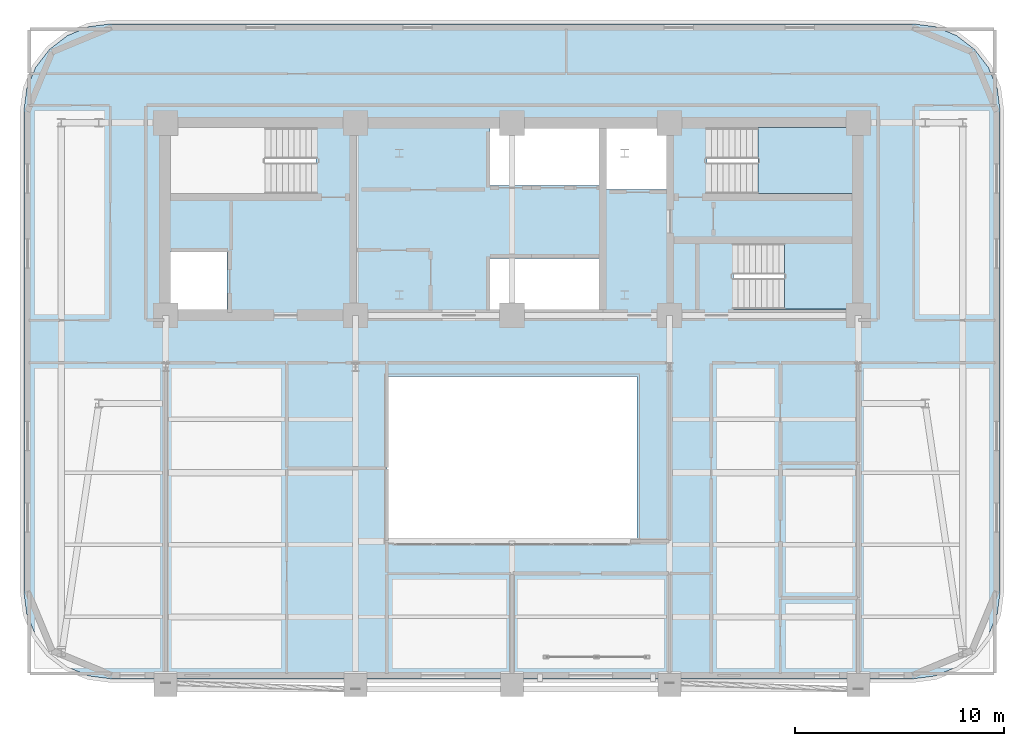
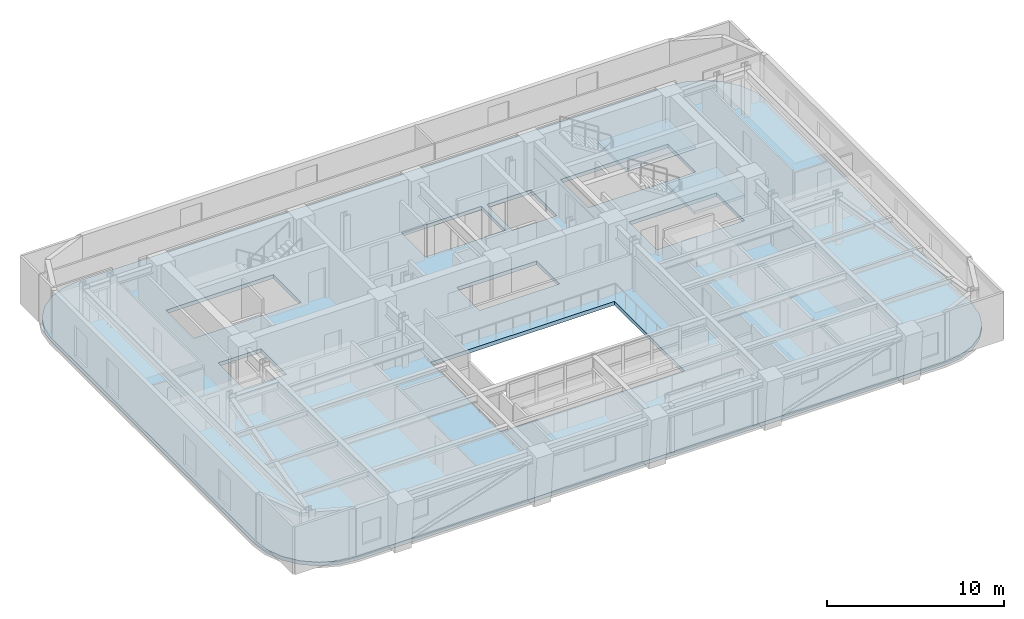
# One storey, part 4 of 13: 3 slabs, 2 elements without a shape of their own.
"""IFC4 building model written with IfcOpenShell, lengths in metres."""

from ifc_helpers import new_model, si_unit, direction, frame, origin, place, context, subcontext, project, spatial, polyline, outline, extrude, material, layer, layer_set, type_object, element, aggregate, save


model = new_model("IFC4")

# Units and contexts
model_context = context("Model", 3, precision=1e-05, world=origin(), true_north=direction((0.0, 1.0)))
body_context = subcontext(model_context, "Body", "Model", "MODEL_VIEW")
ifc_project = project(units=[si_unit("LENGTHUNIT", "METRE"), si_unit("AREAUNIT", "SQUARE_METRE"), si_unit("VOLUMEUNIT", "CUBIC_METRE"), si_unit("PLANEANGLEUNIT", "RADIAN"), si_unit("MASSUNIT", "GRAM", prefix="KILO")], contexts=[model_context])

# Site, building, storey
site_placement = place(None, origin())
site = spatial("IfcSite", under=ifc_project, at=site_placement, CompositionType="ELEMENT")
building_placement = place(site_placement, origin())
building = spatial("IfcBuilding", under=site, at=building_placement, Name="Zarnavel Station Tower", CompositionType="ELEMENT")
storey_placement = place(building_placement, frame((0.0, 0.0, 176.75)))
storey = spatial("IfcBuildingStorey", under=building, at=storey_placement, Name="L48", CompositionType="ELEMENT", Elevation=176.75)

# Slab
ifc_material_1 = material(Name="Concrete C45/55", Category="concrete")
ifc_layer_1 = layer(ifc_material_1, 0.260009765625)
ifc_layer_set_1 = layer_set([ifc_layer_1], Name="SL_FLR_260")
slab_type_1 = type_object("IfcSlabType", Name="SL_FLR_260", PredefinedType="FLOOR", material=ifc_layer_set_1)
slab_1_placement = place(storey_placement, frame((0.0, 0.0, -0.260009765625)))
element("IfcSlab", 1, at=slab_1_placement, inside=storey, type_object=slab_type_1, Name="L48 Structural Floor Slab", PredefinedType="FLOOR", context=body_context, shape_type="SweptSolid", body=[
    extrude(outline(polyline([(48.0, 10.39990234375), (49.0869140625, 10.543212890625), (50.10009765625, 10.962646484375), (50.9697265625, 11.630126953125), (51.63720703125, 12.5), (52.056884765625, 13.512939453125), (52.199951171875, 14.60009765625), (52.199951171875, 37.60009765625), (52.056884765625, 38.68701171875), (51.63720703125, 39.699951171875), (50.9697265625, 40.56982421875), (50.10009765625, 41.2373046875), (49.0869140625, 41.656982421875), (48.0, 41.800048828125), (9.60009765625, 41.800048828125), (8.512939453125, 41.656982421875), (7.5, 41.2373046875), (6.630126953125, 40.56982421875), (5.962646484375, 39.699951171875), (5.543212890625, 38.68701171875), (5.39990234375, 37.60009765625), (5.39990234375, 14.60009765625), (5.543212890625, 13.512939453125), (5.962646484375, 12.5), (6.630126953125, 11.630126953125), (7.5, 10.962646484375), (8.512939453125, 10.543212890625), (9.60009765625, 10.39990234375), (48.0, 10.39990234375)]), holes=[polyline([(12.39990234375, 33.659912109375), (19.409912109375, 33.659912109375), (19.409912109375, 36.820068359375), (12.39990234375, 36.820068359375), (12.39990234375, 33.659912109375)]), polyline([(38.14990234375, 33.659912109375), (45.159912109375, 33.659912109375), (45.159912109375, 36.820068359375), (38.14990234375, 36.820068359375), (38.14990234375, 33.659912109375)]), polyline([(39.419921875, 28.1201171875), (45.14990234375, 28.1201171875), (45.14990234375, 31.280029296875), (39.419921875, 31.280029296875), (39.419921875, 28.1201171875)]), polyline([(12.35009765625, 27.949951171875), (15.14990234375, 27.949951171875), (15.14990234375, 30.85009765625), (12.35009765625, 30.85009765625), (12.35009765625, 27.949951171875)]), polyline([(33.320068359375, 33.85009765625), (36.2099609375, 33.85009765625), (36.2099609375, 36.780029296875), (33.320068359375, 36.780029296875), (33.320068359375, 33.85009765625)]), polyline([(27.75, 34.050048828125), (32.97998046875, 34.050048828125), (32.97998046875, 36.780029296875), (27.75, 36.780029296875), (27.75, 34.050048828125)]), polyline([(27.75, 27.949951171875), (32.97998046875, 27.949951171875), (32.97998046875, 30.550048828125), (27.75, 30.550048828125), (27.75, 27.949951171875)]), polyline([(22.800048828125, 17.0), (34.800048828125, 17.0), (34.800048828125, 24.89990234375), (22.800048828125, 24.89990234375), (22.800048828125, 17.0)])]), origin(), (0.0, 0.0, 1.0), 0.260009765625),
])

# Stair, slab
ifc_material_2 = material(Name="Concrete C45/55", Category="concrete")
stair_type = type_object("IfcStairType", Name="ST_CORE_150", PredefinedType="HALF_TURN_STAIR", material=ifc_material_2)
stair_1_placement = place(storey_placement, origin())
stair_1 = element("IfcStair", 2, at=stair_1_placement, inside=storey, type_object=stair_type, Name="L48 Core Exit Stair ST2", PredefinedType="HALF_TURN_STAIR")
ifc_material_3 = material(Name="Concrete C45/55", Category="concrete")
ifc_layer_2 = layer(ifc_material_3, 0.199951171875)
ifc_layer_set_2 = layer_set([ifc_layer_2], Name="SL_STAIR_LAND_200")
slab_type_2 = type_object("IfcSlabType", Name="SL_STAIR_LAND_200", PredefinedType="LANDING", material=ifc_layer_set_2)
slab_2_placement = place(storey_placement, frame((0.0, 0.0, 1.574951171875)))
slab_2 = element("IfcSlab", 3, at=slab_2_placement, type_object=slab_type_2, Name="ST2 landing 1", PredefinedType="LANDING", context=body_context, shape_type="SweptSolid", body=[
    extrude(outline(polyline([(40.60009765625, 33.659912109375), (45.159912109375, 33.659912109375), (45.159912109375, 36.820068359375), (40.60009765625, 36.820068359375), (40.60009765625, 33.659912109375)])), origin(), (0.0, 0.0, 1.0), 0.199951171875),
])
aggregate(stair_1, [slab_2])

stair_2_placement = place(storey_placement, origin())
stair_2 = element("IfcStair", 4, at=stair_2_placement, inside=storey, type_object=stair_type, Name="L48 Core Exit Stair ST3", PredefinedType="HALF_TURN_STAIR")
slab_3_placement = place(storey_placement, frame((0.0, 0.0, 1.574951171875)))
slab_3 = element("IfcSlab", 5, at=slab_3_placement, type_object=slab_type_2, Name="ST3 landing 1", PredefinedType="LANDING", context=body_context, shape_type="SweptSolid", body=[
    extrude(outline(polyline([(41.8701171875, 28.1201171875), (45.14990234375, 28.1201171875), (45.14990234375, 31.280029296875), (41.8701171875, 31.280029296875), (41.8701171875, 28.1201171875)])), origin(), (0.0, 0.0, 1.0), 0.199951171875),
])
aggregate(stair_2, [slab_3])

save(model, "model.ifc")
